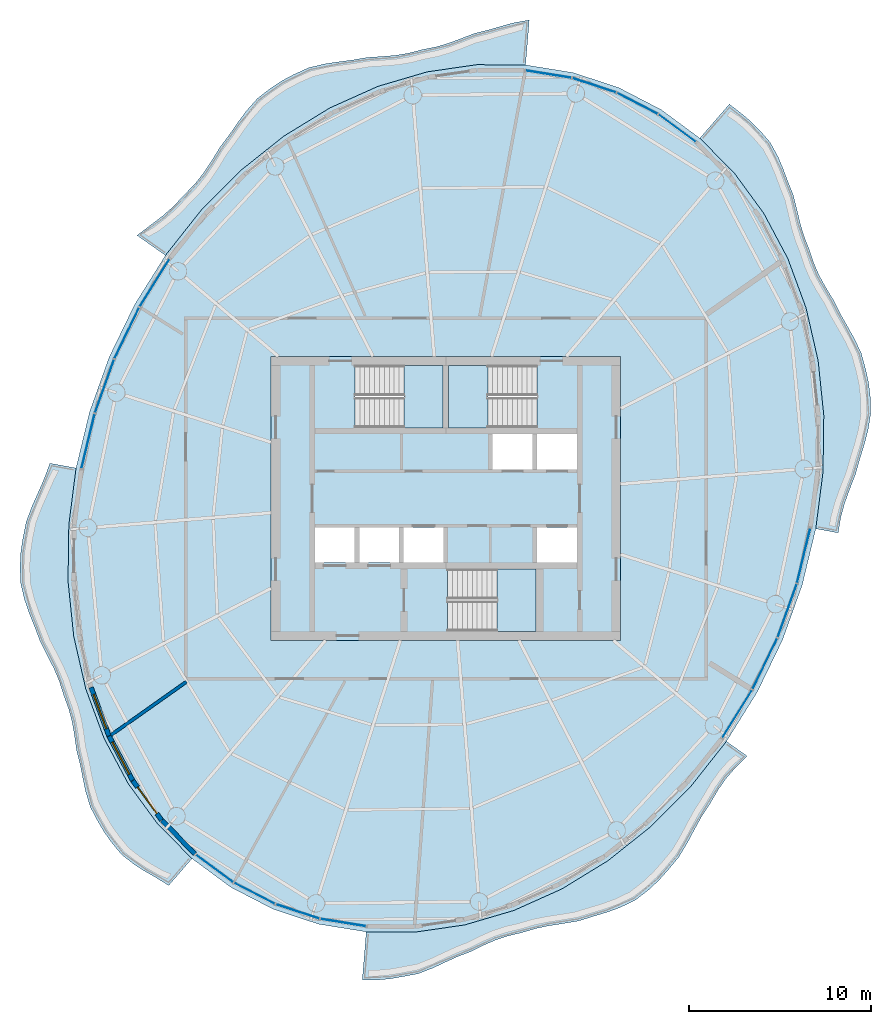
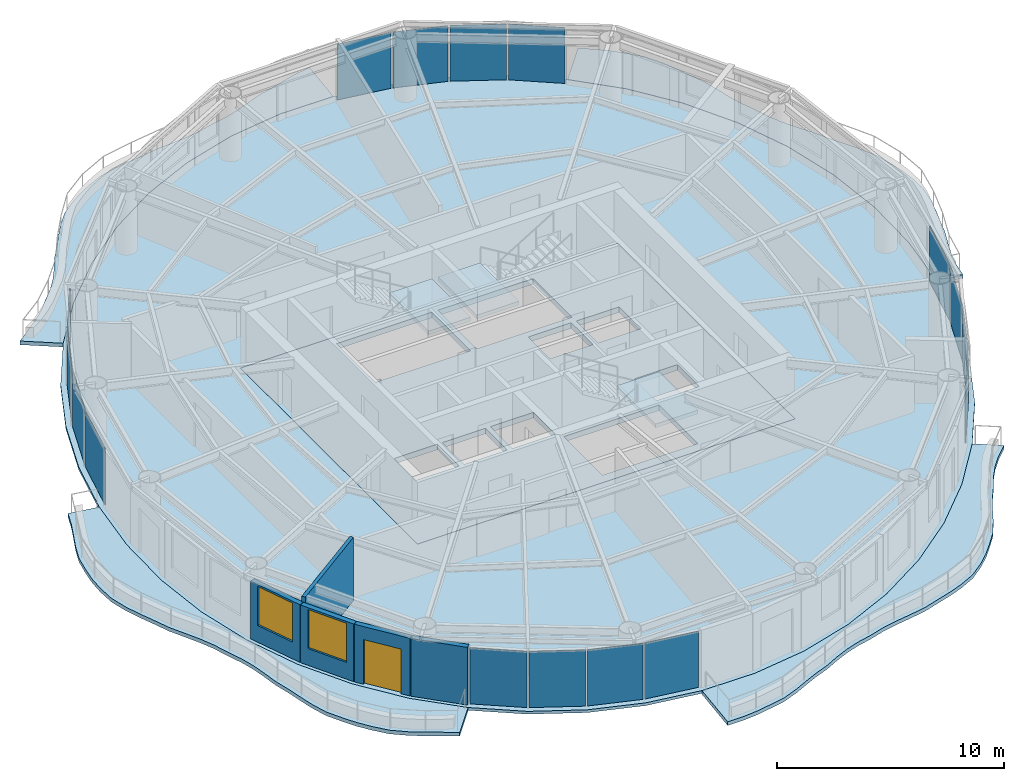
# One storey, part 6 of 13: 16 plates, 9 slabs, 5 walls, 2 windows, 1 door, 3 openings, 19 elements without a shape of their own.
"""IFC4 building model written with IfcOpenShell, lengths in metres."""

from ifc_helpers import new_model, si_unit, direction, frame, frame_2d, origin, origin_2d, place, context, subcontext, project, spatial, polyline, rectangle, outline, extrude, material, layer, layer_set, type_object, element, fill, aggregate, save


model = new_model("IFC4")

# Units and contexts
model_context = context("Model", 3, precision=1e-05, world=origin(), true_north=direction((0.0, 1.0)))
body_context = subcontext(model_context, "Body", "Model", "MODEL_VIEW")
ifc_project = project(units=[si_unit("LENGTHUNIT", "METRE"), si_unit("AREAUNIT", "SQUARE_METRE"), si_unit("VOLUMEUNIT", "CUBIC_METRE"), si_unit("PLANEANGLEUNIT", "RADIAN"), si_unit("MASSUNIT", "GRAM", prefix="KILO")], contexts=[model_context])

# Site, building, storey
site_placement = place(None, origin())
site = spatial("IfcSite", under=ifc_project, at=site_placement, CompositionType="ELEMENT")
building_placement = place(site_placement, origin())
building = spatial("IfcBuilding", under=site, at=building_placement, Name="Vermilion Reach Broadcast Tower", CompositionType="ELEMENT")
storey_placement = place(building_placement, frame((0.0, 0.0, 300.89990234375)))
storey = spatial("IfcBuildingStorey", under=building, at=storey_placement, Name="L75", CompositionType="ELEMENT", Elevation=300.89990234375)

# Slabs
ifc_material_1 = material(Name="Concrete C40/50", Category="concrete")
ifc_layer_1 = layer(ifc_material_1, 0.199951171875)
ifc_layer_set_1 = layer_set([ifc_layer_1], Name="Balcony slab 200")
slab_type_1 = type_object("IfcSlabType", Name="Balcony slab 200", PredefinedType="FLOOR", material=ifc_layer_set_1)
placement_1 = place(storey_placement, frame((0.0, 0.0, -0.199951171875)))
element("IfcSlab", 1, at=placement_1, inside=storey, type_object=slab_type_1, Name="Balcony slab L75 group 1", PredefinedType="FLOOR", context=body_context, shape_type="SweptSolid", body=[
    extrude(outline(polyline([(-1.623046875, 23.810302734375), (-4.3125, 23.82421875), (-7.03076171875, 23.4306640625), (-9.7314453125, 22.635986328125), (-12.368408203125, 21.4541015625), (-14.896240234375, 19.9052734375), (-17.271728515625, 18.015625), (-19.45458984375, 15.81787109375), (-21.4072265625, 13.349609375), (-22.96826171875, 14.45068359375), (-22.232666015625, 15.005615234375), (-21.587158203125, 15.498291015625), (-20.985107421875, 16.025390625), (-20.396240234375, 16.653076171875), (-19.805908203125, 17.258056640625), (-19.320556640625, 17.86767578125), (-18.883544921875, 18.52490234375), (-18.411865234375, 19.288818359375), (-17.880859375, 20.00048828125), (-17.42919921875, 20.65185546875), (-16.963134765625, 21.284912109375), (-16.34814453125, 21.97900390625), (-15.634521484375, 22.529052734375), (-15.016357421875, 22.938720703125), (-14.3603515625, 23.28662109375), (-13.532470703125, 23.660400390625), (-12.659912109375, 23.870849609375), (-11.918212890625, 23.98193359375), (-11.16943359375, 24.077880859375), (-10.318115234375, 24.224609375), (-9.481201171875, 24.27880859375), (-8.765869140625, 24.340576171875), (-8.06591796875, 24.455078125), (-7.29833984375, 24.655517578125), (-6.5361328125, 24.805419921875), (-5.87060546875, 25.000732421875), (-5.212158203125, 25.245849609375), (-4.43212890625, 25.545654296875), (-3.630126953125, 25.742431640625), (-2.956787109375, 25.942626953125), (-2.283447265625, 26.12744140625), (-1.4189453125, 26.2802734375), (-1.623046875, 23.810302734375)])), origin(), (0.0, 0.0, 1.0), 0.199951171875),
])
element("IfcSlab", 2, at=placement_1, inside=storey, type_object=slab_type_1, Name="Balcony slab L75 group 2", PredefinedType="FLOOR", context=body_context, shape_type="SweptSolid", body=[
    extrude(outline(polyline([(-26.317626953125, 1.66796875), (-26.715087890625, -1.454345703125), (-26.75830078125, -4.551513671875), (-26.446044921875, -7.57080078125), (-25.7841796875, -10.460693359375), (-24.78369140625, -13.171630859375), (-23.461669921875, -15.656982421875), (-21.841064453125, -17.87451171875), (-19.949462890625, -19.786376953125), (-21.22705078125, -21.2626953125), (-21.9501953125, -20.820068359375), (-22.554931640625, -20.47265625), (-23.13623046875, -20.10205078125), (-23.8212890625, -19.5615234375), (-24.3828125, -18.881591796875), (-24.780029296875, -18.3212890625), (-25.127685546875, -17.72509765625), (-25.533935546875, -16.9560546875), (-25.792236328125, -16.099365234375), (-25.94287109375, -15.38232421875), (-26.084228515625, -14.660400390625), (-26.286376953125, -13.8447265625), (-26.40625, -13.00048828125), (-26.53271484375, -12.277099609375), (-26.71630859375, -11.57470703125), (-26.99169921875, -10.820068359375), (-27.2412109375, -10.0341796875), (-27.5361328125, -9.34130859375), (-27.880615234375, -8.659912109375), (-28.28173828125, -7.874755859375), (-28.600830078125, -7.03076171875), (-28.893310546875, -6.298095703125), (-29.147705078125, -5.5615234375), (-29.3603515625, -4.66748046875), (-29.396728515625, -3.740478515625), (-29.35595703125, -2.966552734375), (-29.239501953125, -2.193603515625), (-29.0576171875, -1.289306640625), (-28.7255859375, -0.405029296875), (-28.389892578125, 0.34521484375), (-28.061279296875, 1.0966796875), (-27.75634765625, 1.931884765625), (-26.317626953125, 1.66796875)])), origin(), (0.0, 0.0, 1.0), 0.199951171875),
])
element("IfcSlab", 3, at=placement_1, inside=storey, type_object=slab_type_1, Name="Balcony slab L75 group 3", PredefinedType="FLOOR", context=body_context, shape_type="SweptSolid", body=[
    extrude(outline(polyline([(-10.376953125, -23.810302734375), (-7.6875, -23.82421875), (-4.96923828125, -23.4306640625), (-2.2685546875, -22.635986328125), (0.368408203125, -21.4541015625), (2.896240234375, -19.9052734375), (5.271728515625, -18.015625), (7.45458984375, -15.81787109375), (9.4072265625, -13.349609375), (10.5556640625, -14.15966796875), (9.92919921875, -14.765625), (9.411376953125, -15.359130859375), (8.95751953125, -16.00341796875), (8.51416015625, -16.7578125), (8.03955078125, -17.490234375), (7.64990234375, -18.194580078125), (7.27099609375, -18.909912109375), (6.790771484375, -19.711669921875), (6.20751953125, -20.4111328125), (5.694091796875, -20.984619140625), (5.1376953125, -21.504150390625), (4.407958984375, -22.064697265625), (3.593505859375, -22.4619140625), (2.88427734375, -22.722900390625), (2.150634765625, -22.944091796875), (1.294677734375, -23.209716796875), (0.43017578125, -23.358154296875), (-0.310791015625, -23.47119140625), (-1.0361328125, -23.619140625), (-1.8193359375, -23.85205078125), (-2.590576171875, -24.03466796875), (-3.25927734375, -24.255126953125), (-3.91015625, -24.5361328125), (-4.648193359375, -24.900634765625), (-5.407958984375, -25.19091796875), (-6.05859375, -25.48974609375), (-6.708251953125, -25.794677734375), (-7.528564453125, -26.11181640625), (-8.37255859375, -26.2705078125), (-9.045654296875, -26.38720703125), (-9.71826171875, -26.451171875), (-10.595703125, -26.455322265625), (-10.376953125, -23.810302734375)])), origin(), (0.0, 0.0, 1.0), 0.199951171875),
])
element("IfcSlab", 4, at=placement_1, inside=storey, type_object=slab_type_1, Name="Balcony slab L75 group 4", PredefinedType="FLOOR", context=body_context, shape_type="SweptSolid", body=[
    extrude(outline(polyline([(14.317626953125, -1.66796875), (14.715087890625, 1.454345703125), (14.75830078125, 4.551513671875), (14.446044921875, 7.57080078125), (13.7841796875, 10.460693359375), (12.78369140625, 13.171630859375), (11.461669921875, 15.656982421875), (9.841064453125, 17.87451171875), (7.949462890625, 19.786376953125), (9.568603515625, 21.6572265625), (10.257080078125, 21.1240234375), (10.77294921875, 20.688720703125), (11.2470703125, 20.211669921875), (11.814453125, 19.555908203125), (12.24072265625, 18.777587890625), (12.515380859375, 18.128173828125), (12.764404296875, 17.45947265625), (13.081787109375, 16.672607421875), (13.29150390625, 15.8330078125), (13.4580078125, 15.12451171875), (13.66064453125, 14.43505859375), (13.9521484375, 13.695068359375), (14.206787109375, 12.9267578125), (14.49609375, 12.263427734375), (14.84619140625, 11.622802734375), (15.2822265625, 10.90673828125), (15.669677734375, 10.13232421875), (16.0537109375, 9.4599609375), (16.43359375, 8.78662109375), (16.8203125, 7.964111328125), (17.06201171875, 7.078369140625), (17.223388671875, 6.332275390625), (17.310791015625, 5.578369140625), (17.338623046875, 4.66650390625), (17.18798828125, 3.7431640625), (16.984130859375, 2.9716796875), (16.74658203125, 2.200439453125), (16.49951171875, 1.32861328125), (16.169677734375, 0.475830078125), (15.89697265625, -0.282470703125), (15.68896484375, -1.04931640625), (15.549560546875, -1.89404296875), (14.317626953125, -1.66796875)])), origin(), (0.0, 0.0, 1.0), 0.199951171875),
])
ifc_material_2 = material(Name="Concrete C40", Category="concrete")
ifc_layer_2 = layer(ifc_material_2, 0.300048828125)
ifc_layer_set_2 = layer_set([ifc_layer_2], Name="Core floor slab 300 mm Concrete C40")
slab_type_2 = type_object("IfcSlabType", Name="Core floor slab 300 mm Concrete C40", PredefinedType="FLOOR", material=ifc_layer_set_2)
slab_5_placement = place(storey_placement, frame((0.0, 0.0, -0.2998046875)))
element("IfcSlab", 5, at=slab_5_placement, inside=storey, type_object=slab_type_2, Name="L75 core floor", PredefinedType="FLOOR", context=body_context, shape_type="SweptSolid", body=[
    extrude(outline(polyline([(-15.60009765625, -7.800048828125), (3.60009765625, -7.800048828125), (3.60009765625, 7.800048828125), (-15.60009765625, 7.800048828125), (-15.60009765625, -7.800048828125)]), holes=[polyline([(-3.433349609375, 1.60009765625), (-1.24169921875, 1.60009765625), (-1.24169921875, 3.530029296875), (-3.433349609375, 3.530029296875), (-3.433349609375, 1.60009765625)]), polyline([(-0.99169921875, 1.60009765625), (1.199951171875, 1.60009765625), (1.199951171875, 3.530029296875), (-0.99169921875, 3.530029296875), (-0.99169921875, 1.60009765625)]), polyline([(-13.199951171875, -3.530029296875), (-11.00830078125, -3.530029296875), (-11.00830078125, -1.60009765625), (-13.199951171875, -1.60009765625), (-13.199951171875, -3.530029296875)]), polyline([(-10.75830078125, -3.530029296875), (-8.566650390625, -3.530029296875), (-8.566650390625, -1.60009765625), (-10.75830078125, -1.60009765625), (-10.75830078125, -3.530029296875)]), polyline([(-8.316650390625, -3.530029296875), (-6.125, -3.530029296875), (-6.125, -1.60009765625), (-8.316650390625, -1.60009765625), (-8.316650390625, -3.530029296875)]), polyline([(-0.99169921875, -3.530029296875), (1.199951171875, -3.530029296875), (1.199951171875, -1.60009765625), (-0.99169921875, -1.60009765625), (-0.99169921875, -3.530029296875)]), polyline([(-10.999267578125, 3.8798828125), (-6.14990234375, 3.8798828125), (-6.14990234375, 7.300048828125), (-10.999267578125, 7.300048828125), (-10.999267578125, 3.8798828125)]), polyline([(-1.000732421875, 7.300048828125), (-5.85009765625, 7.300048828125), (-5.85009765625, 3.8798828125), (-1.000732421875, 3.8798828125), (-1.000732421875, 7.300048828125)]), polyline([(-5.8994140625, -7.300048828125), (-1.050048828125, -7.300048828125), (-1.050048828125, -3.8798828125), (-5.8994140625, -3.8798828125), (-5.8994140625, -7.300048828125)])]), origin(), (0.0, 0.0, 1.0), 0.2998046875),
])

# Stair, slab
ifc_material_3 = material(Name="Concrete C40", Category="concrete")
stair_type = type_object("IfcStairType", Name="Exit stair RC 22 risers 164 mm", PredefinedType="HALF_TURN_STAIR", material=ifc_material_3)
placement_2 = place(storey_placement, origin())
stair_1 = element("IfcStair", 6, at=placement_2, inside=storey, type_object=stair_type, Name="L75 Exit stair ST1", PredefinedType="HALF_TURN_STAIR")
ifc_material_4 = material(Name="Concrete C40", Category="concrete")
ifc_layer_3 = layer(ifc_material_4, 0.199951171875)
ifc_layer_set_3 = layer_set([ifc_layer_3], Name="Exit stair landing Concrete C40")
slab_type_3 = type_object("IfcSlabType", Name="Exit stair landing Concrete C40", PredefinedType="LANDING", material=ifc_layer_set_3)
placement_3 = place(storey_placement, frame((0.0, 0.0, 1.60009765625)))
slab_6 = element("IfcSlab", 7, at=placement_3, type_object=slab_type_3, Name="ST1 landing 1", PredefinedType="LANDING", context=body_context, shape_type="SweptSolid", body=[
    extrude(outline(polyline([(-8.300048828125, 3.8798828125), (-6.14990234375, 3.8798828125), (-6.14990234375, 7.300048828125), (-8.300048828125, 7.300048828125), (-8.300048828125, 3.8798828125)])), origin(), (0.0, 0.0, 1.0), 0.199951171875),
])
aggregate(stair_1, [slab_6])

stair_2 = element("IfcStair", 8, at=placement_2, inside=storey, type_object=stair_type, Name="L75 Exit stair ST2", PredefinedType="HALF_TURN_STAIR")
slab_7 = element("IfcSlab", 9, at=placement_3, type_object=slab_type_3, Name="ST2 landing 1", PredefinedType="LANDING", context=body_context, shape_type="SweptSolid", body=[
    extrude(outline(polyline([(-3.699951171875, 7.300048828125), (-5.85009765625, 7.300048828125), (-5.85009765625, 3.8798828125), (-3.699951171875, 3.8798828125), (-3.699951171875, 7.300048828125)])), origin(), (0.0, 0.0, 1.0), 0.199951171875),
])
aggregate(stair_2, [slab_7])

stair_3 = element("IfcStair", 10, at=placement_2, inside=storey, type_object=stair_type, Name="L75 Exit stair ST3", PredefinedType="HALF_TURN_STAIR")
slab_8 = element("IfcSlab", 11, at=placement_3, type_object=slab_type_3, Name="ST3 landing 1", PredefinedType="LANDING", context=body_context, shape_type="SweptSolid", body=[
    extrude(outline(polyline([(-3.199951171875, -7.300048828125), (-1.050048828125, -7.300048828125), (-1.050048828125, -3.8798828125), (-3.199951171875, -3.8798828125), (-3.199951171875, -7.300048828125)])), origin(), (0.0, 0.0, 1.0), 0.199951171875),
])
aggregate(stair_3, [slab_8])

# Slab
ifc_material_5 = material(Name="Concrete C40", Category="concrete")
ifc_layer_4 = layer(ifc_material_5, 0.14990234375)
ifc_layer_set_4 = layer_set([ifc_layer_4], Name="Floor slab Concrete C40 composite 150")
slab_type_4 = type_object("IfcSlabType", Name="Floor slab Concrete C40 composite 150", PredefinedType="FLOOR", material=ifc_layer_set_4)
slab_9_placement = place(storey_placement, frame((0.0, 0.0, -0.14990234375)))
element("IfcSlab", 12, at=slab_9_placement, inside=storey, type_object=slab_type_4, Name="Floor slab L75", PredefinedType="FLOOR", context=body_context, shape_type="SweptSolid", body=[
    extrude(outline(polyline([(3.486328125, 22.567138671875), (0.991455078125, 23.388916015625), (-1.623046875, 23.810302734375), (-4.3125, 23.82421875), (-7.03076171875, 23.4306640625), (-9.7314453125, 22.635986328125), (-12.368408203125, 21.4541015625), (-14.896240234375, 19.9052734375), (-17.271728515625, 18.015625), (-19.45458984375, 15.81787109375), (-21.4072265625, 13.349609375), (-23.09619140625, 10.652587890625), (-24.49267578125, 7.773681640625), (-25.572509765625, 4.761474609375), (-26.317626953125, 1.66796875), (-26.715087890625, -1.454345703125), (-26.75830078125, -4.551513671875), (-26.446044921875, -7.57080078125), (-25.7841796875, -10.460693359375), (-24.78369140625, -13.171630859375), (-23.461669921875, -15.656982421875), (-21.841064453125, -17.87451171875), (-19.949462890625, -19.786376953125), (-17.819091796875, -21.359375), (-15.486328125, -22.567138671875), (-12.991455078125, -23.388916015625), (-10.376953125, -23.810302734375), (-7.6875, -23.82421875), (-4.96923828125, -23.4306640625), (-2.2685546875, -22.635986328125), (0.368408203125, -21.4541015625), (2.896240234375, -19.9052734375), (5.271728515625, -18.015625), (7.45458984375, -15.81787109375), (9.4072265625, -13.349609375), (11.09619140625, -10.652587890625), (12.49267578125, -7.773681640625), (13.572509765625, -4.761474609375), (14.317626953125, -1.66796875), (14.715087890625, 1.454345703125), (14.75830078125, 4.551513671875), (14.446044921875, 7.57080078125), (13.7841796875, 10.460693359375), (12.78369140625, 13.171630859375), (11.461669921875, 15.656982421875), (9.841064453125, 17.87451171875), (7.949462890625, 19.786376953125), (5.819091796875, 21.359375), (3.486328125, 22.567138671875)]), holes=[polyline([(-15.60009765625, -7.800048828125), (3.60009765625, -7.800048828125), (3.60009765625, 7.800048828125), (-15.60009765625, 7.800048828125), (-15.60009765625, -7.800048828125)])]), origin(), (0.0, 0.0, 1.0), 0.14990234375),
])

# Curtain wall, plate
ifc_material_6 = material(Name="Low-e laminated clear glass in aluminium frame", Category="aluminium")
curtain_wall_type = type_object("IfcCurtainWallType", Name="Slot curtain wall", PredefinedType="NOTDEFINED", material=ifc_material_6)
curtain_wall_1 = element("IfcCurtainWall", 13, at=placement_2, inside=storey, type_object=curtain_wall_type, Name="Slot curtain wall L75 46", PredefinedType="NOTDEFINED")
ifc_material_7 = material(Name="Low-e laminated clear glass", Category="glass")
ifc_layer_5 = layer(ifc_material_7, 0.028076171875)
ifc_layer_set_5 = layer_set([ifc_layer_5], Name="Slot glass panel")
plate_type = type_object("IfcPlateType", Name="Slot glass panel", PredefinedType="CURTAIN_PANEL", material=ifc_layer_set_5)
plate_1_placement = place(storey_placement, frame((6.70654296875, 20.332275390625, 0.0), z_axis=(0.0, 0.0, 1.0), x_axis=(-0.804431576895, 0.594045316532, 0.0)))
plate_1 = element("IfcPlate", 14, at=plate_1_placement, type_object=plate_type, Name="Slot glass panel L75 46", PredefinedType="CURTAIN_PANEL", context=body_context, shape_type="SweptSolid", body=[
    extrude(rectangle(XDim=2.521240234375, YDim=0.028076171875, at=origin_2d()), origin(), (0.0, 0.0, 1.0), 3.0),
])
aggregate(curtain_wall_1, [plate_1])

curtain_wall_2 = element("IfcCurtainWall", 15, at=placement_2, inside=storey, type_object=curtain_wall_type, Name="Slot curtain wall L75 47", PredefinedType="NOTDEFINED")
plate_2_placement = place(storey_placement, frame((4.51513671875, 21.69775390625, 0.0), z_axis=(0.0, 0.0, 1.0), x_axis=(-0.888030128591, 0.459785265874, 0.0)))
plate_2 = element("IfcPlate", 16, at=plate_2_placement, type_object=plate_type, Name="Slot glass panel L75 47", PredefinedType="CURTAIN_PANEL", context=body_context, shape_type="SweptSolid", body=[
    extrude(rectangle(XDim=2.4990234375, YDim=0.028076171875, at=origin_2d()), origin(), (0.0, 0.0, 1.0), 3.0),
])
aggregate(curtain_wall_2, [plate_2])

curtain_wall_3 = element("IfcCurtainWall", 17, at=placement_2, inside=storey, type_object=curtain_wall_type, Name="Slot curtain wall L75 00", PredefinedType="NOTDEFINED")
plate_3_placement = place(storey_placement, frame((2.145263671875, 22.694091796875, 0.0), z_axis=(0.0, 0.0, 1.0), x_axis=(-0.949826209947, 0.312778149649, 0.0)))
plate_3 = element("IfcPlate", 18, at=plate_3_placement, type_object=plate_type, Name="Slot glass panel L75 00", PredefinedType="CURTAIN_PANEL", context=body_context, shape_type="SweptSolid", body=[
    extrude(rectangle(XDim=2.4990234375, YDim=0.028076171875, at=origin_2d()), origin(), (0.0, 0.0, 1.0), 3.0),
])
aggregate(curtain_wall_3, [plate_3])

curtain_wall_4 = element("IfcCurtainWall", 19, at=placement_2, inside=storey, type_object=curtain_wall_type, Name="Slot curtain wall L75 01", PredefinedType="NOTDEFINED")
plate_4_placement = place(storey_placement, frame((-0.363525390625, 23.30419921875, 0.0), z_axis=(0.0, 0.0, 1.0), x_axis=(-0.987260365699, 0.159113074007, 0.0)))
plate_4 = element("IfcPlate", 20, at=plate_4_placement, type_object=plate_type, Name="Slot glass panel L75 01", PredefinedType="CURTAIN_PANEL", context=body_context, shape_type="SweptSolid", body=[
    extrude(rectangle(XDim=2.521240234375, YDim=0.028076171875, at=origin_2d()), origin(), (0.0, 0.0, 1.0), 3.0),
])
aggregate(curtain_wall_4, [plate_4])

curtain_wall_5 = element("IfcCurtainWall", 21, at=placement_2, inside=storey, type_object=curtain_wall_type, Name="Slot curtain wall L75 10", PredefinedType="NOTDEFINED")
plate_5_placement = place(storey_placement, frame((-21.997802734375, 11.842041015625, 0.0), z_axis=(0.0, 0.0, 1.0), x_axis=(-0.530770542826, -0.847515563791, 0.0)))
plate_5 = element("IfcPlate", 22, at=plate_5_placement, type_object=plate_type, Name="Slot glass panel L75 10", PredefinedType="CURTAIN_PANEL", context=body_context, shape_type="SweptSolid", body=[
    extrude(rectangle(XDim=3.069580078125, YDim=0.028076171875, at=origin_2d()), origin(), (0.0, 0.0, 1.0), 3.0),
])
aggregate(curtain_wall_5, [plate_5])

curtain_wall_6 = element("IfcCurtainWall", 23, at=placement_2, inside=storey, type_object=curtain_wall_type, Name="Slot curtain wall L75 11", PredefinedType="NOTDEFINED")
plate_6_placement = place(storey_placement, frame((-23.52490234375, 9.082275390625, 0.0), z_axis=(0.0, 0.0, 1.0), x_axis=(-0.436398507896, -0.899753489744, 0.0)))
plate_6 = element("IfcPlate", 24, at=plate_6_placement, type_object=plate_type, Name="Slot glass panel L75 11", PredefinedType="CURTAIN_PANEL", context=body_context, shape_type="SweptSolid", body=[
    extrude(rectangle(XDim=3.087646484375, YDim=0.028076171875, at=origin_2d()), origin(), (0.0, 0.0, 1.0), 3.0),
])
aggregate(curtain_wall_6, [plate_6])

curtain_wall_7 = element("IfcCurtainWall", 25, at=placement_2, inside=storey, type_object=curtain_wall_type, Name="Slot curtain wall L75 12", PredefinedType="NOTDEFINED")
plate_7_placement = place(storey_placement, frame((-24.75048828125, 6.16650390625, 0.0), z_axis=(0.0, 0.0, 1.0), x_axis=(-0.33751732227, -0.941319317324, 0.0)))
plate_7 = element("IfcPlate", 26, at=plate_7_placement, type_object=plate_type, Name="Slot glass panel L75 12", PredefinedType="CURTAIN_PANEL", context=body_context, shape_type="SweptSolid", body=[
    extrude(rectangle(XDim=3.087646484375, YDim=0.028076171875, at=origin_2d()), origin(), (0.0, 0.0, 1.0), 3.0),
])
aggregate(curtain_wall_7, [plate_7])

curtain_wall_8 = element("IfcCurtainWall", 27, at=placement_2, inside=storey, type_object=curtain_wall_type, Name="Slot curtain wall L75 13", PredefinedType="NOTDEFINED")
plate_8_placement = place(storey_placement, frame((-25.65380859375, 3.14453125, 0.0), z_axis=(0.0, 0.0, 1.0), x_axis=(-0.234166070768, -0.972196611443, 0.0)))
plate_8 = element("IfcPlate", 28, at=plate_8_placement, type_object=plate_type, Name="Slot glass panel L75 13", PredefinedType="CURTAIN_PANEL", context=body_context, shape_type="SweptSolid", body=[
    extrude(rectangle(XDim=3.069580078125, YDim=0.028076171875, at=origin_2d()), origin(), (0.0, 0.0, 1.0), 3.0),
])
aggregate(curtain_wall_8, [plate_8])

curtain_wall_9 = element("IfcCurtainWall", 29, at=placement_2, inside=storey, type_object=curtain_wall_type, Name="Slot curtain wall L75 22", PredefinedType="NOTDEFINED")
plate_9_placement = place(storey_placement, frame((-18.70654296875, -20.332275390625, 0.0), z_axis=(0.0, 0.0, 1.0), x_axis=(0.804431576895, -0.594045316532, 0.0)))
plate_9 = element("IfcPlate", 30, at=plate_9_placement, type_object=plate_type, Name="Slot glass panel L75 22", PredefinedType="CURTAIN_PANEL", context=body_context, shape_type="SweptSolid", body=[
    extrude(rectangle(XDim=2.521240234375, YDim=0.028076171875, at=origin_2d()), origin(), (0.0, 0.0, 1.0), 3.0),
])
aggregate(curtain_wall_9, [plate_9])

curtain_wall_10 = element("IfcCurtainWall", 31, at=placement_2, inside=storey, type_object=curtain_wall_type, Name="Slot curtain wall L75 23", PredefinedType="NOTDEFINED")
plate_10_placement = place(storey_placement, frame((-16.51513671875, -21.69775390625, 0.0), z_axis=(0.0, 0.0, 1.0), x_axis=(0.888030128591, -0.459785265874, 0.0)))
plate_10 = element("IfcPlate", 32, at=plate_10_placement, type_object=plate_type, Name="Slot glass panel L75 23", PredefinedType="CURTAIN_PANEL", context=body_context, shape_type="SweptSolid", body=[
    extrude(rectangle(XDim=2.4990234375, YDim=0.028076171875, at=origin_2d()), origin(), (0.0, 0.0, 1.0), 3.0),
])
aggregate(curtain_wall_10, [plate_10])

curtain_wall_11 = element("IfcCurtainWall", 33, at=placement_2, inside=storey, type_object=curtain_wall_type, Name="Slot curtain wall L75 24", PredefinedType="NOTDEFINED")
plate_11_placement = place(storey_placement, frame((-14.145263671875, -22.694091796875, 0.0), z_axis=(0.0, 0.0, 1.0), x_axis=(0.949826209947, -0.312778149649, 0.0)))
plate_11 = element("IfcPlate", 34, at=plate_11_placement, type_object=plate_type, Name="Slot glass panel L75 24", PredefinedType="CURTAIN_PANEL", context=body_context, shape_type="SweptSolid", body=[
    extrude(rectangle(XDim=2.4990234375, YDim=0.028076171875, at=origin_2d()), origin(), (0.0, 0.0, 1.0), 3.0),
])
aggregate(curtain_wall_11, [plate_11])

curtain_wall_12 = element("IfcCurtainWall", 35, at=placement_2, inside=storey, type_object=curtain_wall_type, Name="Slot curtain wall L75 25", PredefinedType="NOTDEFINED")
plate_12_placement = place(storey_placement, frame((-11.636474609375, -23.30419921875, 0.0), z_axis=(0.0, 0.0, 1.0), x_axis=(0.987260365699, -0.159113074007, 0.0)))
plate_12 = element("IfcPlate", 36, at=plate_12_placement, type_object=plate_type, Name="Slot glass panel L75 25", PredefinedType="CURTAIN_PANEL", context=body_context, shape_type="SweptSolid", body=[
    extrude(rectangle(XDim=2.521240234375, YDim=0.028076171875, at=origin_2d()), origin(), (0.0, 0.0, 1.0), 3.0),
])
aggregate(curtain_wall_12, [plate_12])

curtain_wall_13 = element("IfcCurtainWall", 37, at=placement_2, inside=storey, type_object=curtain_wall_type, Name="Slot curtain wall L75 34", PredefinedType="NOTDEFINED")
plate_13_placement = place(storey_placement, frame((9.997802734375, -11.842041015625, 0.0), z_axis=(0.0, 0.0, 1.0), x_axis=(0.530770542826, 0.847515563791, 0.0)))
plate_13 = element("IfcPlate", 38, at=plate_13_placement, type_object=plate_type, Name="Slot glass panel L75 34", PredefinedType="CURTAIN_PANEL", context=body_context, shape_type="SweptSolid", body=[
    extrude(rectangle(XDim=3.069580078125, YDim=0.028076171875, at=origin_2d()), origin(), (0.0, 0.0, 1.0), 3.0),
])
aggregate(curtain_wall_13, [plate_13])

curtain_wall_14 = element("IfcCurtainWall", 39, at=placement_2, inside=storey, type_object=curtain_wall_type, Name="Slot curtain wall L75 35", PredefinedType="NOTDEFINED")
plate_14_placement = place(storey_placement, frame((11.52490234375, -9.082275390625, 0.0), z_axis=(0.0, 0.0, 1.0), x_axis=(0.436398507896, 0.899753489744, 0.0)))
plate_14 = element("IfcPlate", 40, at=plate_14_placement, type_object=plate_type, Name="Slot glass panel L75 35", PredefinedType="CURTAIN_PANEL", context=body_context, shape_type="SweptSolid", body=[
    extrude(rectangle(XDim=3.087646484375, YDim=0.028076171875, at=origin_2d()), origin(), (0.0, 0.0, 1.0), 3.0),
])
aggregate(curtain_wall_14, [plate_14])

curtain_wall_15 = element("IfcCurtainWall", 41, at=placement_2, inside=storey, type_object=curtain_wall_type, Name="Slot curtain wall L75 36", PredefinedType="NOTDEFINED")
plate_15_placement = place(storey_placement, frame((12.75048828125, -6.16650390625, 0.0), z_axis=(0.0, 0.0, 1.0), x_axis=(0.33751732227, 0.941319317324, 0.0)))
plate_15 = element("IfcPlate", 42, at=plate_15_placement, type_object=plate_type, Name="Slot glass panel L75 36", PredefinedType="CURTAIN_PANEL", context=body_context, shape_type="SweptSolid", body=[
    extrude(rectangle(XDim=3.087646484375, YDim=0.028076171875, at=origin_2d()), origin(), (0.0, 0.0, 1.0), 3.0),
])
aggregate(curtain_wall_15, [plate_15])

curtain_wall_16 = element("IfcCurtainWall", 43, at=placement_2, inside=storey, type_object=curtain_wall_type, Name="Slot curtain wall L75 37", PredefinedType="NOTDEFINED")
plate_16_placement = place(storey_placement, frame((13.65380859375, -3.14453125, 0.0), z_axis=(0.0, 0.0, 1.0), x_axis=(0.234166070768, 0.972196611443, 0.0)))
plate_16 = element("IfcPlate", 44, at=plate_16_placement, type_object=plate_type, Name="Slot glass panel L75 37", PredefinedType="CURTAIN_PANEL", context=body_context, shape_type="SweptSolid", body=[
    extrude(rectangle(XDim=3.069580078125, YDim=0.028076171875, at=origin_2d()), origin(), (0.0, 0.0, 1.0), 3.0),
])
aggregate(curtain_wall_16, [plate_16])

# Wall
ifc_material_8 = material(Name="Fire-rated block, plastered")
ifc_layer_6 = layer(ifc_material_8, 0.175048828125)
ifc_layer_set_6 = layer_set([ifc_layer_6], Name="Partition 175 fire-rated block")
wall_type_1 = type_object("IfcWallType", Name="Partition 175 fire-rated block", PredefinedType="PARTITIONING", material=ifc_layer_set_6)
wall_1_placement = place(storey_placement, frame((-24.3955078125, -12.998046875, 0.0), z_axis=(0.0, 0.0, 1.0), x_axis=(0.816702281695, 0.577059254387, 0.0)))
element("IfcWall", 45, at=wall_1_placement, inside=storey, type_object=wall_type_1, Name="Partition 75.04", PredefinedType="PARTITIONING", context=body_context, shape_type="SweptSolid", body=[
    extrude(rectangle(XDim=5.071533203125, YDim=0.175048828125, at=frame_2d((2.53564453125, 0.0))), origin(), (0.0, 0.0, 1.0), 3.400146484375),
])

# Wall, opening, window
ifc_material_9 = material(Name="Terracotta rainscreen cladding", Category="masonry")
ifc_layer_7 = layer(ifc_material_9, 0.25)
ifc_layer_set_7 = layer_set([ifc_layer_7], Name="Terracotta rainscreen wall 250")
wall_type_2 = type_object("IfcWallType", Name="Terracotta rainscreen wall 250", PredefinedType="SOLIDWALL", material=ifc_layer_set_7)
wall_2_placement = place(storey_placement, frame((-25.492431640625, -10.38671875, 0.0), z_axis=(0.0, 0.0, 1.0), x_axis=(0.3462418827, -0.938145275885, 0.0)))
wall_2 = element("IfcWall", 46, at=wall_2_placement, inside=storey, type_object=wall_type_2, Name="External wall L75 18", PredefinedType="SOLIDWALL", context=body_context, shape_type="SweptSolid", body=[
    extrude(rectangle(XDim=2.825439453125, YDim=0.25, at=frame_2d((1.41259765625, 0.0))), origin(), (0.0, 0.0, 1.0), 3.10009765625),
])
opening_1_placement = place(wall_2_placement, frame((0.412841796875, 0.0, 0.89990234375)))
opening_1 = element("IfcOpeningElement", 47, at=opening_1_placement, cuts=wall_2, Name="Opening W03", PredefinedType="OPENING", context=body_context, shape_type="SweptSolid", body=[
    extrude(rectangle(XDim=2.0, YDim=2.10009765625, at=frame_2d((1.0, 1.050048828125))), frame((0.0, 0.135009765625, 0.0), z_axis=(0.0, -1.0, 0.0), x_axis=(1.0, 0.0, 0.0)), (0.0, 0.0, 1.0), 0.27001953125),
])
ifc_material_10 = material(Name="Low-e laminated clear glass in aluminium frame", Category="aluminium")
window_type = type_object("IfcWindowType", Name="Punched window 2000 x 2100 sill 900", PartitioningType="SINGLE_PANEL", PredefinedType="WINDOW", material=ifc_material_10)
window_1_placement = place(opening_1_placement, origin())
window_1 = element("IfcWindow", 48, at=window_1_placement, inside=storey, type_object=window_type, Name="Window L75 18", OverallHeight=2.10009765625, OverallWidth=2.0, PartitioningType="SINGLE_PANEL", PredefinedType="WINDOW", context=body_context, shape_type="SweptSolid", body=[
    extrude(rectangle(XDim=2.0, YDim=2.10009765625, at=frame_2d((1.0, 1.050048828125))), frame((0.0, 0.030029296875, 0.0), z_axis=(0.0, -1.0, 0.0), x_axis=(1.0, 0.0, 0.0)), (0.0, 0.0, 1.0), 0.06005859375),
])
fill(opening_1, window_1)

wall_3_placement = place(storey_placement, frame((-24.50390625, -13.06005859375, 0.0), z_axis=(0.0, 0.0, 1.0), x_axis=(0.469564356189, -0.882898247476, 0.0)))
wall_3 = element("IfcWall", 49, at=wall_3_placement, inside=storey, type_object=wall_type_2, Name="External wall L75 19", PredefinedType="SOLIDWALL", context=body_context, shape_type="SweptSolid", body=[
    extrude(rectangle(XDim=2.748291015625, YDim=0.25, at=frame_2d((1.3740234375, 0.0))), origin(), (0.0, 0.0, 1.0), 3.10009765625),
])
opening_2_placement = place(wall_3_placement, frame((0.3740234375, 0.0, 0.89990234375)))
opening_2 = element("IfcOpeningElement", 50, at=opening_2_placement, cuts=wall_3, Name="Opening W03", PredefinedType="OPENING", context=body_context, shape_type="SweptSolid", body=[
    extrude(rectangle(XDim=2.0, YDim=2.10009765625, at=frame_2d((1.0, 1.050048828125))), frame((0.0, 0.135009765625, 0.0), z_axis=(0.0, -1.0, 0.0), x_axis=(1.0, 0.0, 0.0)), (0.0, 0.0, 1.0), 0.27001953125),
])
window_2_placement = place(opening_2_placement, origin())
window_2 = element("IfcWindow", 51, at=window_2_placement, inside=storey, type_object=window_type, Name="Window L75 19", OverallHeight=2.10009765625, OverallWidth=2.0, PartitioningType="SINGLE_PANEL", PredefinedType="WINDOW", context=body_context, shape_type="SweptSolid", body=[
    extrude(rectangle(XDim=2.0, YDim=2.10009765625, at=frame_2d((1.0, 1.050048828125))), frame((0.0, 0.030029296875, 0.0), z_axis=(0.0, -1.0, 0.0), x_axis=(1.0, 0.0, 0.0)), (0.0, 0.0, 1.0), 0.06005859375),
])
fill(opening_2, window_2)

# Wall, opening, door
wall_4_placement = place(storey_placement, frame((-23.19970703125, -15.50830078125, 0.0), z_axis=(0.0, 0.0, 1.0), x_axis=(0.59003031017, -0.80738109532, 0.0)))
wall_4 = element("IfcWall", 52, at=wall_4_placement, inside=storey, type_object=wall_type_2, Name="External wall L75 20", PredefinedType="SOLIDWALL", context=body_context, shape_type="SweptSolid", body=[
    extrude(rectangle(XDim=2.6767578125, YDim=0.25, at=frame_2d((1.33837890625, 0.0))), origin(), (0.0, 0.0, 1.0), 3.10009765625),
])
opening_3_placement = place(wall_4_placement, frame((0.43798828125, 0.0, 0.0)))
opening_3 = element("IfcOpeningElement", 53, at=opening_3_placement, cuts=wall_4, Name="Opening D70", PredefinedType="OPENING", context=body_context, shape_type="SweptSolid", body=[
    extrude(rectangle(XDim=1.800048828125, YDim=2.39990234375, at=frame_2d((0.89990234375, 1.199951171875))), frame((0.0, 0.135009765625, 0.0), z_axis=(0.0, -1.0, 0.0), x_axis=(1.0, 0.0, 0.0)), (0.0, 0.0, 1.0), 0.27001953125),
])
ifc_material_11 = material(Name="Low-e laminated clear glass in aluminium frame", Category="aluminium")
door_type = type_object("IfcDoorType", Name="Balcony sliding door 1800 x 2400", OperationType="DOUBLE_DOOR_SLIDING", PredefinedType="DOOR", material=ifc_material_11)
door_placement = place(opening_3_placement, origin())
door = element("IfcDoor", 54, at=door_placement, inside=storey, type_object=door_type, Name="Balcony door L75 run 05", OperationType="DOUBLE_DOOR_SLIDING", OverallHeight=2.39990234375, OverallWidth=1.800048828125, PredefinedType="DOOR", context=body_context, shape_type="SweptSolid", body=[
    extrude(rectangle(XDim=1.800048828125, YDim=2.39990234375, at=frame_2d((0.89990234375, 1.199951171875))), frame((0.0, 0.02490234375, 0.0), z_axis=(0.0, -1.0, 0.0), x_axis=(1.0, 0.0, 0.0)), (0.0, 0.0, 1.0), 0.050048828125),
])
fill(opening_3, door)

# Wall
wall_5_placement = place(storey_placement, frame((-21.603271484375, -17.689697265625, 0.0), z_axis=(0.0, 0.0, 1.0), x_axis=(0.70340049818, -0.71079373883, 0.0)))
element("IfcWall", 55, at=wall_5_placement, inside=storey, type_object=wall_type_2, Name="External wall L75 21", PredefinedType="SOLIDWALL", context=body_context, shape_type="SweptSolid", body=[
    extrude(rectangle(XDim=2.57568359375, YDim=0.25, at=frame_2d((1.287841796875, 0.0))), origin(), (0.0, 0.0, 1.0), 3.10009765625),
])

save(model, "model.ifc")
